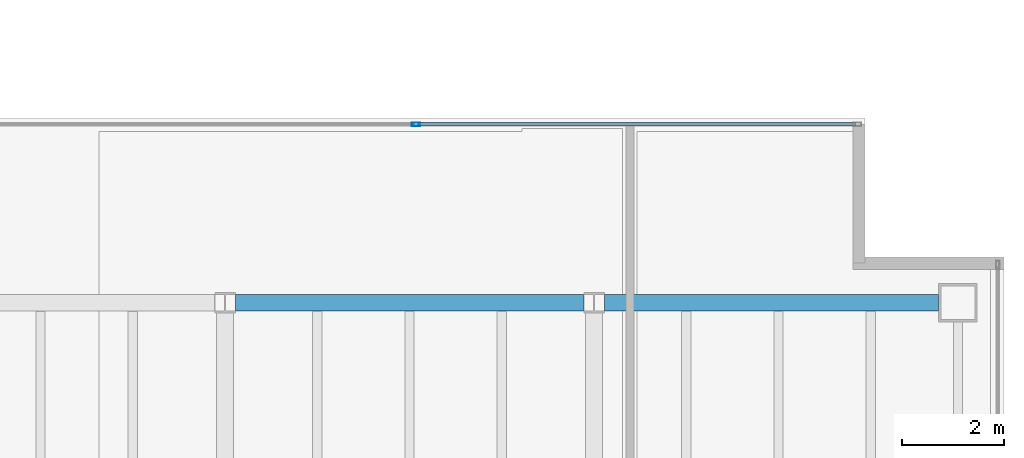
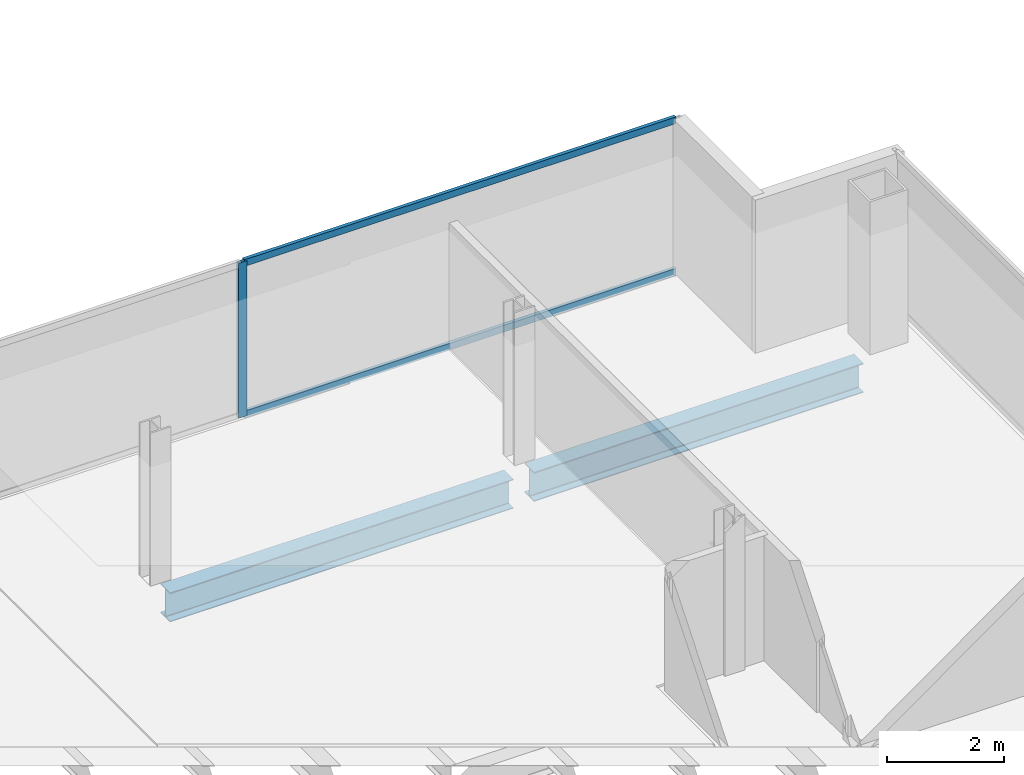
# One storey, part 15 of 23: 3 members, 2 beams, 1 element without a shape of its own.
"""IFC4 building model written with IfcOpenShell, lengths in metres."""

from ifc_helpers import new_model, si_unit, direction, frame, origin, origin_2d, place, context, subcontext, project, spatial, hollow_rectangle, i_section, extrude, material, material_profile, profile_set, type_object, element, aggregate, save


model = new_model("IFC4")

# Units and contexts
model_context = context("Model", 3, precision=1e-05, world=origin(), true_north=direction((0.0, 1.0)))
body_context = subcontext(model_context, "Body", "Model", "MODEL_VIEW")
ifc_project = project(units=[si_unit("LENGTHUNIT", "METRE"), si_unit("AREAUNIT", "SQUARE_METRE"), si_unit("VOLUMEUNIT", "CUBIC_METRE"), si_unit("PLANEANGLEUNIT", "RADIAN"), si_unit("MASSUNIT", "GRAM", prefix="KILO")], contexts=[model_context])

# Site, building, storey
site_placement = place(None, origin())
site = spatial("IfcSite", under=ifc_project, at=site_placement, CompositionType="ELEMENT")
building_placement = place(site_placement, origin())
building = spatial("IfcBuilding", under=site, at=building_placement, Name="Cobrela Telecom Tower", CompositionType="ELEMENT")
storey_placement = place(building_placement, frame((0.0, 0.0, 225.75)))
storey = spatial("IfcBuildingStorey", under=building, at=storey_placement, Name="L58", CompositionType="ELEMENT", Elevation=225.75)

# Beams
ifc_material_1 = material(Name="Steel ASTM A992 Grade 50", Category="steel")
ifc_material_profile_1 = material_profile(ifc_material_1, i_section(OverallWidth=0.324951171875, OverallDepth=0.612060546875, WebThickness=0.0126953125, FlangeThickness=0.01904296875, FilletRadius=0.014892578125, at=origin_2d()), Name="W24X104")
ifc_profile_set_1 = profile_set([ifc_material_profile_1], Name="Steel ASTM A992 Grade 50")
beam_type = type_object("IfcBeamType", Name="BM-GIRD-07", PredefinedType="USERDEFINED", material=ifc_profile_set_1)
beam_1_placement = place(storey_placement, frame((29.00439453125, 21.60009765625, -0.56591796875), z_axis=(1.0, 0.0, 0.0), x_axis=(0.0, 1.0, 0.0)))
element("IfcBeam", 1, at=beam_1_placement, inside=storey, type_object=beam_type, Name="L58 Primary Girder X17", ObjectType="GIRDER", PredefinedType="USERDEFINED", context=body_context, shape_type="SweptSolid", body=[
    extrude(i_section(OverallWidth=0.324951171875, OverallDepth=0.612060546875, WebThickness=0.0126953125, FlangeThickness=0.01904296875, FilletRadius=0.014892578125, at=origin_2d()), origin(), (0.0, 0.0, 1.0), 6.791015625),
])
beam_2_placement = place(storey_placement, frame((36.20458984375, 21.60009765625, -0.56591796875), z_axis=(1.0, 0.0, 0.0), x_axis=(0.0, 1.0, 0.0)))
element("IfcBeam", 2, at=beam_2_placement, inside=storey, type_object=beam_type, Name="L58 Primary Girder X18", ObjectType="GIRDER", PredefinedType="USERDEFINED", context=body_context, shape_type="SweptSolid", body=[
    extrude(i_section(OverallWidth=0.324951171875, OverallDepth=0.612060546875, WebThickness=0.0126953125, FlangeThickness=0.01904296875, FilletRadius=0.014892578125, at=origin_2d()), origin(), (0.0, 0.0, 1.0), 6.515380859375),
])

# Curtain wall, members
ifc_material_2 = material(Name="Anodized Bronze Aluminium 6063-T6", Category="aluminium")
curtain_wall_type = type_object("IfcCurtainWallType", Name="CW-SYS-OFF-LO", PredefinedType="USERDEFINED", material=ifc_material_2)
curtain_wall_placement = place(storey_placement, origin())
curtain_wall = element("IfcCurtainWall", 3, at=curtain_wall_placement, inside=storey, type_object=curtain_wall_type, Name="L58 Unitised Bronze Curtain Wall 11", ObjectType="UNITISED CURTAIN WALL", PredefinedType="USERDEFINED")
ifc_material_profile_2 = material_profile(ifc_material_2, hollow_rectangle(XDim=0.070068359375, YDim=0.159912109375, WallThickness=0.00390625, at=origin_2d()), Name="ALU 70x160x4")
ifc_profile_set_2 = profile_set([ifc_material_profile_2], Name="Anodized Bronze Aluminium 6063-T6")
member_type_1 = type_object("IfcMemberType", Name="CW-SYS-OFF-LO-MUL", PredefinedType="MULLION", material=ifc_profile_set_2)
member_1_placement = place(storey_placement, frame((32.52490234375, 25.080078125, 0.0), z_axis=(0.0, 0.0, 1.0), x_axis=(0.0, 1.0, 0.0)))
member_1 = element("IfcMember", 4, at=member_1_placement, type_object=member_type_1, Name="CW-OFF-LO mullion 2", PredefinedType="MULLION", context=body_context, shape_type="SweptSolid", body=[
    extrude(hollow_rectangle(XDim=0.070068359375, YDim=0.159912109375, WallThickness=0.00390625, at=origin_2d()), origin(), (0.0, 0.0, 1.0), 3.239990234375),
])
ifc_material_profile_3 = material_profile(ifc_material_2, hollow_rectangle(XDim=0.070068359375, YDim=0.139892578125, WallThickness=0.00390625, at=origin_2d()), Name="ALU 70x140x4")
ifc_profile_set_3 = profile_set([ifc_material_profile_3], Name="Anodized Bronze Aluminium 6063-T6")
member_type_2 = type_object("IfcMemberType", Name="CW-SYS-OFF-LO-TRN", PredefinedType="USERDEFINED", material=ifc_profile_set_3)
member_2_placement = place(storey_placement, frame((32.56005859375, 25.080078125, 0.034912109375), z_axis=(1.0, 0.0, 0.0), x_axis=(0.0, 1.0, 0.0)))
member_2 = element("IfcMember", 5, at=member_2_placement, type_object=member_type_2, Name="CW-OFF-LO transom 2.1", ObjectType="TRANSOM", PredefinedType="USERDEFINED", context=body_context, shape_type="SweptSolid", body=[
    extrude(hollow_rectangle(XDim=0.070068359375, YDim=0.139892578125, WallThickness=0.00390625, at=origin_2d()), origin(), (0.0, 0.0, 1.0), 8.5400390625),
])
member_3_placement = place(storey_placement, frame((32.56005859375, 25.080078125, 3.205078125), z_axis=(1.0, 0.0, 0.0), x_axis=(0.0, 1.0, 0.0)))
member_3 = element("IfcMember", 6, at=member_3_placement, type_object=member_type_2, Name="CW-OFF-LO transom 2.2", ObjectType="TRANSOM", PredefinedType="USERDEFINED", context=body_context, shape_type="SweptSolid", body=[
    extrude(hollow_rectangle(XDim=0.070068359375, YDim=0.139892578125, WallThickness=0.00390625, at=origin_2d()), origin(), (0.0, 0.0, 1.0), 8.5400390625),
])
aggregate(curtain_wall, [member_1, member_2, member_3])

save(model, "model.ifc")
